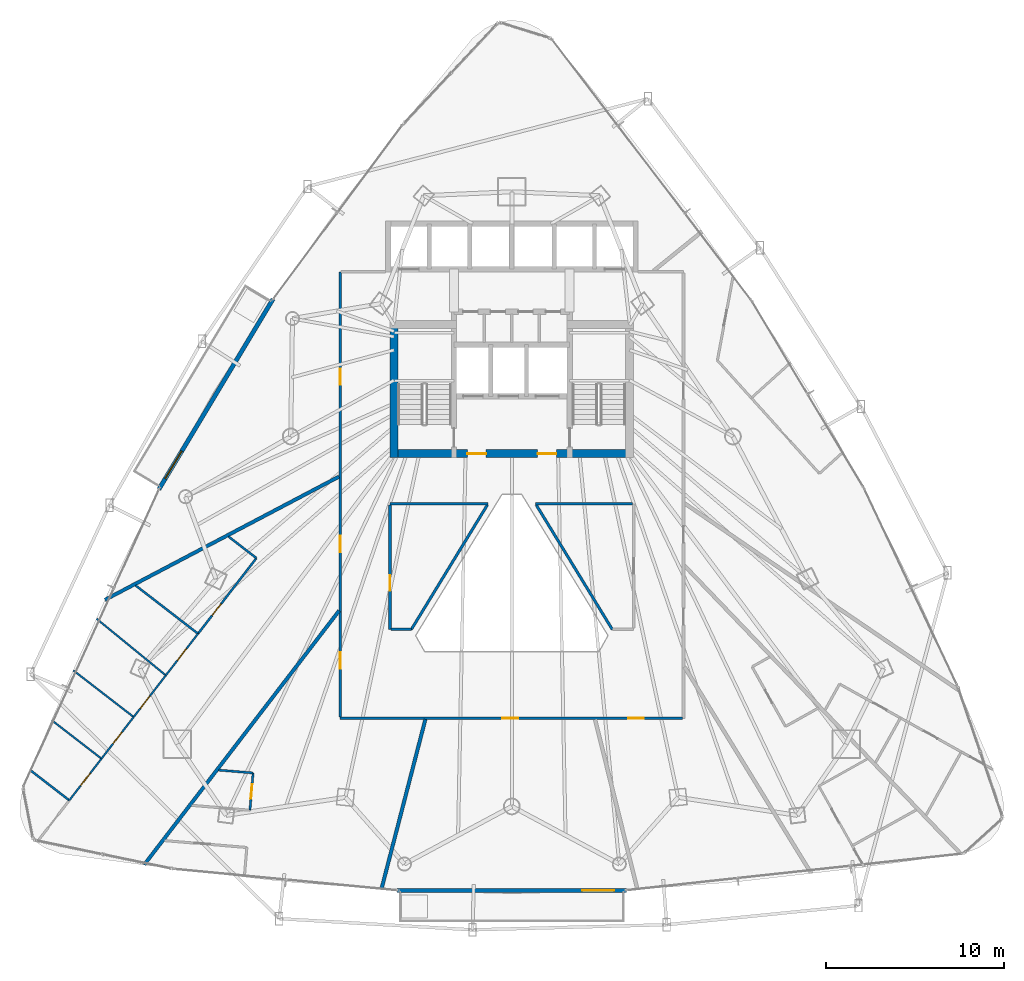
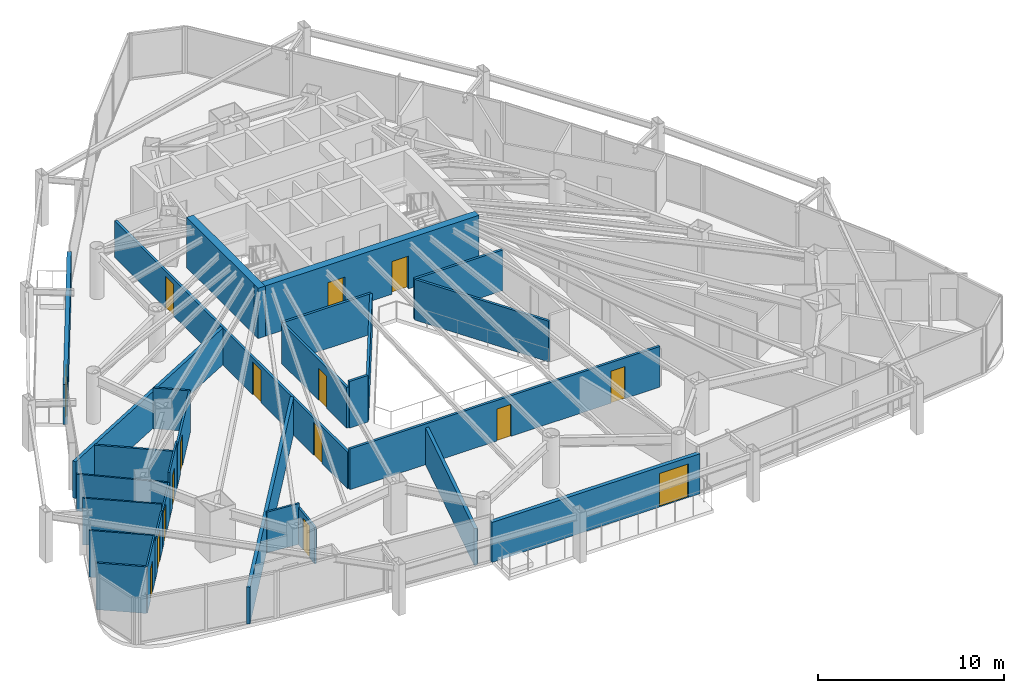
# One storey, part 29 of 34: 28 walls, 16 doors, 16 openings.
"""IFC4 building model written with IfcOpenShell, lengths in metres."""

from ifc_helpers import new_model, si_unit, direction, frame, frame_2d, origin, place, context, subcontext, project, spatial, rectangle, extrude, material, layer, layer_set, type_object, element, fill, save


model = new_model("IFC4")

# Units and contexts
model_context = context("Model", 3, precision=1e-05, world=origin(), true_north=direction((0.0, 1.0)))
body_context = subcontext(model_context, "Body", "Model", "MODEL_VIEW")
ifc_project = project(units=[si_unit("LENGTHUNIT", "METRE"), si_unit("AREAUNIT", "SQUARE_METRE"), si_unit("VOLUMEUNIT", "CUBIC_METRE"), si_unit("PLANEANGLEUNIT", "RADIAN"), si_unit("MASSUNIT", "GRAM", prefix="KILO")], contexts=[model_context])

# Site, building, storey
site_placement = place(None, origin())
site = spatial("IfcSite", under=ifc_project, at=site_placement, CompositionType="ELEMENT")
building_placement = place(site_placement, origin())
building = spatial("IfcBuilding", under=site, at=building_placement, Name="Orvanel Arch Residences", CompositionType="ELEMENT")
storey_placement = place(building_placement, frame((0.0, 0.0, 74.14990234375)))
storey = spatial("IfcBuildingStorey", under=building, at=storey_placement, Name="L20", CompositionType="ELEMENT", Elevation=74.14990234375)

# Wall, opening, door
ifc_material_1 = material(Name="Precast concrete N50 (50 MPa)", Category="concrete")
ifc_layer_1 = layer(ifc_material_1, 0.239990234375)
ifc_layer_set_1 = layer_set([ifc_layer_1], Name="Precast concrete N50 (50 MPa)")
wall_type_1 = type_object("IfcWallType", Name="EW-BAL-240", PredefinedType="SOLIDWALL", material=ifc_layer_set_1)
wall_1_placement = place(storey_placement, frame((19.575927734375, 35.3701171875, 0.0), z_axis=(0.0, 0.0, 1.0), x_axis=(-0.514331693128, -0.85759134175, 0.0)))
wall_1 = element("IfcWall", 1, at=wall_1_placement, inside=storey, type_object=wall_type_1, Name="L20 Balcony Threshold Wall Face 1", PredefinedType="SOLIDWALL", context=body_context, shape_type="SweptSolid", body=[
    extrude(rectangle(XDim=12.474365234375, YDim=0.239990234375, at=frame_2d((6.2373046875, 0.0))), origin(), (0.0, 0.0, 1.0), 2.6240234375),
])
opening_1_placement = place(wall_1_placement, frame((9.97705078125, 0.0, 0.0)))
opening_1 = element("IfcOpeningElement", 2, at=opening_1_placement, cuts=wall_1, Name="Opening DB-180", PredefinedType="OPENING", context=body_context, shape_type="SweptSolid", body=[
    extrude(rectangle(XDim=1.800048828125, YDim=2.199951171875, at=frame_2d((0.89990234375, 1.10009765625))), frame((0.0, 0.1298828125, 0.0), z_axis=(0.0, -1.0, 0.0), x_axis=(1.0, 0.0, 0.0)), (0.0, 0.0, 1.0), 0.260009765625),
])
ifc_material_2 = material(Name="Bronze-anodised aluminium AA6063-T6", Category="aluminium")
door_type_1 = type_object("IfcDoorType", Name="DR-BAL-1800", OperationType="NOTDEFINED", PredefinedType="DOOR", material=ifc_material_2)
door_1_placement = place(opening_1_placement, origin())
door_1 = element("IfcDoor", 3, at=door_1_placement, inside=storey, type_object=door_type_1, Name="DR-L20-BAL-F1 L20 Planted Balcony Access Door Face 1", OperationType="SINGLE_SWING_LEFT", OverallHeight=2.199951171875, OverallWidth=1.800048828125, PredefinedType="DOOR", context=body_context, shape_type="SweptSolid", body=[
    extrude(rectangle(XDim=1.800048828125, YDim=2.199951171875, at=frame_2d((0.89990234375, 1.10009765625))), frame((0.0, 0.02490234375, 0.0), z_axis=(0.0, -1.0, 0.0), x_axis=(1.0, 0.0, 0.0)), (0.0, 0.0, 1.0), 0.050048828125),
])
fill(opening_1, door_1)

wall_2_placement = place(storey_placement, frame((26.553955078125, 2.117919921875, 0.0), z_axis=(0.0, 0.0, 1.0), x_axis=(1.0, 0.0, 0.0)))
wall_2 = element("IfcWall", 4, at=wall_2_placement, inside=storey, type_object=wall_type_1, Name="L20 Balcony Threshold Wall Face 2", PredefinedType="SOLIDWALL", context=body_context, shape_type="SweptSolid", body=[
    extrude(rectangle(XDim=12.89111328125, YDim=0.239990234375, at=frame_2d((6.445556640625, 0.0))), origin(), (0.0, 0.0, 1.0), 2.6240234375),
])
opening_2_placement = place(wall_2_placement, frame((10.39306640625, 0.0, 0.0)))
opening_2 = element("IfcOpeningElement", 5, at=opening_2_placement, cuts=wall_2, Name="Opening DB-180", PredefinedType="OPENING", context=body_context, shape_type="SweptSolid", body=[
    extrude(rectangle(XDim=1.800048828125, YDim=2.199951171875, at=frame_2d((0.89990234375, 1.10009765625))), frame((0.0, 0.1298828125, 0.0), z_axis=(0.0, -1.0, 0.0), x_axis=(1.0, 0.0, 0.0)), (0.0, 0.0, 1.0), 0.260009765625),
])
door_2_placement = place(opening_2_placement, origin())
door_2 = element("IfcDoor", 6, at=door_2_placement, inside=storey, type_object=door_type_1, Name="DR-L20-BAL-F2 L20 Planted Balcony Access Door Face 2", OperationType="SINGLE_SWING_RIGHT", OverallHeight=2.199951171875, OverallWidth=1.800048828125, PredefinedType="DOOR", context=body_context, shape_type="SweptSolid", body=[
    extrude(rectangle(XDim=1.800048828125, YDim=2.199951171875, at=frame_2d((0.89990234375, 1.10009765625))), frame((0.0, 0.02490234375, 0.0), z_axis=(0.0, -1.0, 0.0), x_axis=(1.0, 0.0, 0.0)), (0.0, 0.0, 1.0), 0.050048828125),
])
fill(opening_2, door_2)

# Wall, openings, doors
ifc_material_3 = material(Name="Concrete S80 (80 MPa)", Category="concrete")
ifc_layer_2 = layer(ifc_material_3, 0.449951171875)
ifc_layer_set_2 = layer_set([ifc_layer_2], Name="Concrete S80 (80 MPa)")
wall_type_2 = type_object("IfcWallType", Name="SW-CORE-450", PredefinedType="SHEAR", material=ifc_layer_set_2)
wall_3_placement = place(storey_placement, frame((26.14990234375, 26.675048828125, 0.0), z_axis=(0.0, 0.0, 1.0), x_axis=(1.0, 0.0, 0.0)))
wall_3 = element("IfcWall", 7, at=wall_3_placement, inside=storey, type_object=wall_type_2, Name="L20 South Core Shear Wall", PredefinedType="SHEAR", context=body_context, shape_type="SweptSolid", body=[
    extrude(rectangle(XDim=13.7001953125, YDim=0.449951171875, at=frame_2d((6.85009765625, 0.0))), origin(), (0.0, 0.0, 1.0), 3.300048828125),
])
opening_3_placement = place(wall_3_placement, frame((4.35009765625, 0.0, 0.0)))
opening_3 = element("IfcOpeningElement", 8, at=opening_3_placement, cuts=wall_3, Name="Opening DF-060", PredefinedType="OPENING", context=body_context, shape_type="SweptSolid", body=[
    extrude(rectangle(XDim=1.050048828125, YDim=2.14990234375, at=frame_2d((0.52490234375, 1.074951171875))), frame((0.0, 0.23486328125, 0.0), z_axis=(0.0, -1.0, 0.0), x_axis=(1.0, 0.0, 0.0)), (0.0, 0.0, 1.0), 0.469970703125),
])
opening_4_placement = place(wall_3_placement, frame((8.300048828125, 0.0, 0.0)))
opening_4 = element("IfcOpeningElement", 9, at=opening_4_placement, cuts=wall_3, Name="Opening DF-060", PredefinedType="OPENING", context=body_context, shape_type="SweptSolid", body=[
    extrude(rectangle(XDim=1.050048828125, YDim=2.14990234375, at=frame_2d((0.52490234375, 1.074951171875))), frame((0.0, 0.23486328125, 0.0), z_axis=(0.0, -1.0, 0.0), x_axis=(1.0, 0.0, 0.0)), (0.0, 0.0, 1.0), 0.469970703125),
])
ifc_material_4 = material(Name="Galvanised steel fire-resisting door assembly", Category="steel")
door_type_2 = type_object("IfcDoorType", Name="DR-FD60-1050", OperationType="NOTDEFINED", PredefinedType="DOOR", material=ifc_material_4)
door_3_placement = place(opening_3_placement, origin())
door_3 = element("IfcDoor", 10, at=door_3_placement, inside=storey, type_object=door_type_2, Name="DR-L20-FFL-W L20 West Smoke Lobby Door", OperationType="SINGLE_SWING_LEFT", OverallHeight=2.14990234375, OverallWidth=1.050048828125, PredefinedType="DOOR", context=body_context, shape_type="SweptSolid", body=[
    extrude(rectangle(XDim=1.050048828125, YDim=2.14990234375, at=frame_2d((0.52490234375, 1.074951171875))), frame((0.0, 0.02490234375, 0.0), z_axis=(0.0, -1.0, 0.0), x_axis=(1.0, 0.0, 0.0)), (0.0, 0.0, 1.0), 0.050048828125),
])
fill(opening_3, door_3)
door_4_placement = place(opening_4_placement, origin())
door_4 = element("IfcDoor", 11, at=door_4_placement, inside=storey, type_object=door_type_2, Name="DR-L20-FFL-E L20 East Smoke Lobby Door", OperationType="SINGLE_SWING_RIGHT", OverallHeight=2.14990234375, OverallWidth=1.050048828125, PredefinedType="DOOR", context=body_context, shape_type="SweptSolid", body=[
    extrude(rectangle(XDim=1.050048828125, YDim=2.14990234375, at=frame_2d((0.52490234375, 1.074951171875))), frame((0.0, 0.02490234375, 0.0), z_axis=(0.0, -1.0, 0.0), x_axis=(1.0, 0.0, 0.0)), (0.0, 0.0, 1.0), 0.050048828125),
])
fill(opening_4, door_4)

# Wall
wall_4_placement = place(storey_placement, frame((26.375, 26.449951171875, 0.0), z_axis=(0.0, 0.0, 1.0), x_axis=(0.0, 1.0, 0.0)))
element("IfcWall", 12, at=wall_4_placement, inside=storey, type_object=wall_type_2, Name="L20 West Stair Shear Wall", PredefinedType="SHEAR", context=body_context, shape_type="SweptSolid", body=[
    extrude(rectangle(XDim=7.699951171875, YDim=0.449951171875, at=frame_2d((3.85009765625, 0.0))), origin(), (0.0, 0.0, 1.0), 3.300048828125),
])

# Wall, openings, doors
ifc_material_5 = material(Name="Fire-rated plasterboard lined steel stud partition", Category="steel")
ifc_layer_3 = layer(ifc_material_5, 0.14990234375)
ifc_layer_set_3 = layer_set([ifc_layer_3], Name="Fire-rated plasterboard lined steel stud partition")
wall_type_3 = type_object("IfcWallType", Name="W-COR-150", PredefinedType="PARTITIONING", material=ifc_layer_set_3)
wall_5_placement = place(storey_placement, frame((42.590087890625, 11.800048828125, 0.0), z_axis=(0.0, 0.0, 1.0), x_axis=(-1.0, 0.0, 0.0)))
wall_5 = element("IfcWall", 13, at=wall_5_placement, inside=storey, type_object=wall_type_3, Name="L20 Corridor Fire-Rated Partition", PredefinedType="PARTITIONING", context=body_context, shape_type="SweptSolid", body=[
    extrude(rectangle(XDim=19.239990234375, YDim=0.14990234375, at=frame_2d((9.6201171875, 0.0))), origin(), (0.0, 0.0, 1.0), 2.669189453125),
])
opening_5_placement = place(wall_5_placement, frame((9.239990234375, 0.0, 0.0)))
opening_5 = element("IfcOpeningElement", 14, at=opening_5_placement, cuts=wall_5, Name="Opening DI-088", PredefinedType="OPENING", context=body_context, shape_type="SweptSolid", body=[
    extrude(rectangle(XDim=0.8798828125, YDim=2.10009765625, at=frame_2d((0.43994140625, 1.050048828125))), frame((0.0, 0.0849609375, 0.0), z_axis=(0.0, -1.0, 0.0), x_axis=(1.0, 0.0, 0.0)), (0.0, 0.0, 1.0), 0.169921875),
])
opening_6_placement = place(wall_5_placement, frame((2.174072265625, 0.0, 0.0)))
opening_6 = element("IfcOpeningElement", 15, at=opening_6_placement, cuts=wall_5, Name="Opening DI-088", PredefinedType="OPENING", context=body_context, shape_type="SweptSolid", body=[
    extrude(rectangle(XDim=0.8798828125, YDim=2.10009765625, at=frame_2d((0.43994140625, 1.050048828125))), frame((0.0, 0.0849609375, 0.0), z_axis=(0.0, -1.0, 0.0), x_axis=(1.0, 0.0, 0.0)), (0.0, 0.0, 1.0), 0.169921875),
])
ifc_material_6 = material(Name="Solid-core European oak veneer fire door leaf", Category="wood")
door_type_3 = type_object("IfcDoorType", Name="DR-INT-880", OperationType="NOTDEFINED", PredefinedType="DOOR", material=ifc_material_6)
door_5_placement = place(opening_5_placement, origin())
door_5 = element("IfcDoor", 16, at=door_5_placement, inside=storey, type_object=door_type_3, Name="DR-L20-SHRD-FB5 L20 Co-Working Study Office E Door", OperationType="SINGLE_SWING_LEFT", OverallHeight=2.10009765625, OverallWidth=0.8798828125, PredefinedType="DOOR", context=body_context, shape_type="SweptSolid", body=[
    extrude(rectangle(XDim=0.8798828125, YDim=2.10009765625, at=frame_2d((0.43994140625, 1.050048828125))), frame((0.0, 0.02490234375, 0.0), z_axis=(0.0, -1.0, 0.0), x_axis=(1.0, 0.0, 0.0)), (0.0, 0.0, 1.0), 0.050048828125),
])
fill(opening_5, door_5)
door_6_placement = place(opening_6_placement, origin())
door_6 = element("IfcDoor", 17, at=door_6_placement, inside=storey, type_object=door_type_3, Name="DR-L20-SHRD-FB8 L20 Co-Working Study Office H Door", OperationType="SINGLE_SWING_LEFT", OverallHeight=2.10009765625, OverallWidth=0.8798828125, PredefinedType="DOOR", context=body_context, shape_type="SweptSolid", body=[
    extrude(rectangle(XDim=0.8798828125, YDim=2.10009765625, at=frame_2d((0.43994140625, 1.050048828125))), frame((0.0, 0.02490234375, 0.0), z_axis=(0.0, -1.0, 0.0), x_axis=(1.0, 0.0, 0.0)), (0.0, 0.0, 1.0), 0.050048828125),
])
fill(opening_6, door_6)

wall_6_placement = place(storey_placement, frame((23.35009765625, 11.860107421875, 0.0), z_axis=(0.0, 0.0, 1.0), x_axis=(0.0, 1.0, 0.0)))
wall_6 = element("IfcWall", 18, at=wall_6_placement, inside=storey, type_object=wall_type_3, Name="L20 Corridor Fire-Rated Partition", PredefinedType="PARTITIONING", context=body_context, shape_type="SweptSolid", body=[
    extrude(rectangle(XDim=25.039794921875, YDim=0.14990234375, at=frame_2d((12.52001953125, 0.0))), origin(), (0.0, 0.0, 1.0), 2.4130859375),
])
opening_7_placement = place(wall_6_placement, frame((18.695068359375, 0.0, 0.0)))
opening_7 = element("IfcOpeningElement", 19, at=opening_7_placement, cuts=wall_6, Name="Opening DI-088", PredefinedType="OPENING", context=body_context, shape_type="SweptSolid", body=[
    extrude(rectangle(XDim=0.8798828125, YDim=2.10009765625, at=frame_2d((0.43994140625, 1.050048828125))), frame((0.0, 0.0849609375, 0.0), z_axis=(0.0, -1.0, 0.0), x_axis=(1.0, 0.0, 0.0)), (0.0, 0.0, 1.0), 0.169921875),
])
opening_8_placement = place(wall_6_placement, frame((9.280029296875, 0.0, 0.0)))
opening_8 = element("IfcOpeningElement", 20, at=opening_8_placement, cuts=wall_6, Name="Opening DA-092", PredefinedType="OPENING", context=body_context, shape_type="SweptSolid", body=[
    extrude(rectangle(XDim=0.919921875, YDim=2.14990234375, at=frame_2d((0.4599609375, 1.074951171875))), frame((0.0, 0.0849609375, 0.0), z_axis=(0.0, -1.0, 0.0), x_axis=(1.0, 0.0, 0.0)), (0.0, 0.0, 1.0), 0.169921875),
])
opening_9_placement = place(wall_6_placement, frame((2.721923828125, 0.0, 0.0)))
opening_9 = element("IfcOpeningElement", 21, at=opening_9_placement, cuts=wall_6, Name="Opening DA-092", PredefinedType="OPENING", context=body_context, shape_type="SweptSolid", body=[
    extrude(rectangle(XDim=0.919921875, YDim=2.14990234375, at=frame_2d((0.4599609375, 1.074951171875))), frame((0.0, 0.0849609375, 0.0), z_axis=(0.0, -1.0, 0.0), x_axis=(1.0, 0.0, 0.0)), (0.0, 0.0, 1.0), 0.169921875),
])
door_type_4 = type_object("IfcDoorType", Name="DR-APT-920", OperationType="NOTDEFINED", PredefinedType="DOOR", material=ifc_material_6)
door_7_placement = place(opening_8_placement, origin())
door_7 = element("IfcDoor", 22, at=door_7_placement, inside=storey, type_object=door_type_4, Name="DR-L20-B-ENT L20 Flat B Entrance Door", OperationType="SINGLE_SWING_LEFT", OverallHeight=2.14990234375, OverallWidth=0.919921875, PredefinedType="DOOR", context=body_context, shape_type="SweptSolid", body=[
    extrude(rectangle(XDim=0.919921875, YDim=2.14990234375, at=frame_2d((0.4599609375, 1.074951171875))), frame((0.0, 0.02490234375, 0.0), z_axis=(0.0, -1.0, 0.0), x_axis=(1.0, 0.0, 0.0)), (0.0, 0.0, 1.0), 0.050048828125),
])
fill(opening_8, door_7)
door_8_placement = place(opening_9_placement, origin())
door_8 = element("IfcDoor", 23, at=door_8_placement, inside=storey, type_object=door_type_4, Name="DR-L20-D-ENT L20 Studio D Entrance Door", OperationType="SINGLE_SWING_LEFT", OverallHeight=2.14990234375, OverallWidth=0.919921875, PredefinedType="DOOR", context=body_context, shape_type="SweptSolid", body=[
    extrude(rectangle(XDim=0.919921875, YDim=2.14990234375, at=frame_2d((0.4599609375, 1.074951171875))), frame((0.0, 0.02490234375, 0.0), z_axis=(0.0, -1.0, 0.0), x_axis=(1.0, 0.0, 0.0)), (0.0, 0.0, 1.0), 0.050048828125),
])
fill(opening_9, door_8)
door_9_placement = place(opening_7_placement, origin())
door_9 = element("IfcDoor", 24, at=door_9_placement, inside=storey, type_object=door_type_3, Name="DR-L20-SHRD-FB1 L20 Co-Working Study Office A Door", OperationType="SINGLE_SWING_LEFT", OverallHeight=2.10009765625, OverallWidth=0.8798828125, PredefinedType="DOOR", context=body_context, shape_type="SweptSolid", body=[
    extrude(rectangle(XDim=0.8798828125, YDim=2.10009765625, at=frame_2d((0.43994140625, 1.050048828125))), frame((0.0, 0.02490234375, 0.0), z_axis=(0.0, -1.0, 0.0), x_axis=(1.0, 0.0, 0.0)), (0.0, 0.0, 1.0), 0.050048828125),
])
fill(opening_7, door_9)

# Wall
wall_7_placement = place(storey_placement, frame((31.659912109375, 23.85009765625, 0.0), z_axis=(0.0, 0.0, 1.0), x_axis=(-1.0, 0.0, 0.0)))
element("IfcWall", 25, at=wall_7_placement, inside=storey, type_object=wall_type_3, Name="L20 Corridor Fire-Rated Partition", PredefinedType="PARTITIONING", context=body_context, shape_type="SweptSolid", body=[
    extrude(rectangle(XDim=5.510009765625, YDim=0.14990234375, at=frame_2d((2.7548828125, 0.0))), origin(), (0.0, 0.0, 1.0), 2.669189453125),
])

# Wall, opening, door
wall_8_placement = place(storey_placement, frame((26.14990234375, 23.7900390625, 0.0), z_axis=(0.0, 0.0, 1.0), x_axis=(0.0, -1.0, 0.0)))
wall_8 = element("IfcWall", 26, at=wall_8_placement, inside=storey, type_object=wall_type_3, Name="L20 Corridor Fire-Rated Partition", PredefinedType="PARTITIONING", context=body_context, shape_type="SweptSolid", body=[
    extrude(rectangle(XDim=6.989990234375, YDim=0.14990234375, at=frame_2d((3.4951171875, 0.0))), origin(), (0.0, 0.0, 1.0), 2.669189453125),
])
opening_10_placement = place(wall_8_placement, frame((3.943115234375, 0.0, 0.0)))
opening_10 = element("IfcOpeningElement", 27, at=opening_10_placement, cuts=wall_8, Name="Opening DI-088", PredefinedType="OPENING", context=body_context, shape_type="SweptSolid", body=[
    extrude(rectangle(XDim=0.8798828125, YDim=2.10009765625, at=frame_2d((0.43994140625, 1.050048828125))), frame((0.0, 0.0849609375, 0.0), z_axis=(0.0, -1.0, 0.0), x_axis=(1.0, 0.0, 0.0)), (0.0, 0.0, 1.0), 0.169921875),
])
door_10_placement = place(opening_10_placement, origin())
door_10 = element("IfcDoor", 28, at=door_10_placement, inside=storey, type_object=door_type_3, Name="DR-L20-SHRD-FB10 L20 Co-Working Study Office J Door", OperationType="SINGLE_SWING_LEFT", OverallHeight=2.10009765625, OverallWidth=0.8798828125, PredefinedType="DOOR", context=body_context, shape_type="SweptSolid", body=[
    extrude(rectangle(XDim=0.8798828125, YDim=2.10009765625, at=frame_2d((0.43994140625, 1.050048828125))), frame((0.0, 0.02490234375, 0.0), z_axis=(0.0, -1.0, 0.0), x_axis=(1.0, 0.0, 0.0)), (0.0, 0.0, 1.0), 0.050048828125),
])
fill(opening_10, door_10)

# Walls
wall_9_placement = place(storey_placement, frame((26.2099609375, 16.800048828125, 0.0), z_axis=(0.0, 0.0, 1.0), x_axis=(1.0, 0.0, 0.0)))
element("IfcWall", 29, at=wall_9_placement, inside=storey, type_object=wall_type_3, Name="L20 Corridor Fire-Rated Partition", PredefinedType="PARTITIONING", context=body_context, shape_type="SweptSolid", body=[
    extrude(rectangle(XDim=1.14013671875, YDim=0.14990234375, at=frame_2d((0.570068359375, 0.0))), origin(), (0.0, 0.0, 1.0), 3.06005859375),
])
wall_10_placement = place(storey_placement, frame((39.7900390625, 23.85009765625, 0.0), z_axis=(0.0, 0.0, 1.0), x_axis=(-1.0, 0.0, 0.0)))
element("IfcWall", 30, at=wall_10_placement, inside=storey, type_object=wall_type_3, Name="L20 Corridor Fire-Rated Partition", PredefinedType="PARTITIONING", context=body_context, shape_type="SweptSolid", body=[
    extrude(rectangle(XDim=5.449951171875, YDim=0.14990234375, at=frame_2d((2.72509765625, 0.0))), origin(), (0.0, 0.0, 1.0), 2.669189453125),
])
for number, where, z_axis, x_axis, name in (
    (31, (27.35009765625, 16.7900390625, 0.0), (0.0, 0.0, 1.0), (0.521108010454, 0.853490738931, 0.0), "L20 Atrium Overlook Glazed Partition"),
    (32, (34.3759765625, 23.7900390625, 0.0), (0.0, 0.0, 1.0), (0.521108010454, -0.853490738931, 0.0), "L20 Atrium Overlook Glazed Partition"),
):
    element("IfcWall", number, at=place(storey_placement, frame(where, z_axis=z_axis, x_axis=x_axis)), inside=storey, type_object=wall_type_3, Name=name, PredefinedType="PARTITIONING", context=body_context, shape_type="SweptSolid", body=[
        extrude(rectangle(XDim=8.20166015625, YDim=0.14990234375, at=frame_2d((4.100830078125, 0.0))), origin(), (0.0, 0.0, 1.0), 2.669189453125),
    ])
ifc_layer_4 = layer(ifc_material_5, 0.199951171875)
ifc_layer_set_4 = layer_set([ifc_layer_4], Name="Fire-rated plasterboard lined steel stud partition")
wall_type_4 = type_object("IfcWallType", Name="W-DEM-200", PredefinedType="PARTITIONING", material=ifc_layer_set_4)
wall_11_placement = place(storey_placement, frame((23.2900390625, 25.386962890625, 0.0), z_axis=(0.0, 0.0, 1.0), x_axis=(-0.884824599801, -0.465924272373, 0.0)))
element("IfcWall", 33, at=wall_11_placement, inside=storey, type_object=wall_type_4, Name="L20 Inter-Tenancy Acoustic Demising Wall", PredefinedType="PARTITIONING", context=body_context, shape_type="SweptSolid", body=[
    extrude(rectangle(XDim=14.8798828125, YDim=0.199951171875, at=frame_2d((7.43994140625, 0.0))), origin(), (0.0, 0.0, 1.0), 2.4130859375),
])
wall_12_placement = place(storey_placement, frame((23.2900390625, 17.845947265625, 0.0), z_axis=(0.0, 0.0, 1.0), x_axis=(-0.608736412859, -0.793372535232, 0.0)))
element("IfcWall", 34, at=wall_12_placement, inside=storey, type_object=wall_type_4, Name="L20 Inter-Tenancy Acoustic Demising Wall", PredefinedType="PARTITIONING", context=body_context, shape_type="SweptSolid", body=[
    extrude(rectangle(XDim=18.0029296875, YDim=0.199951171875, at=frame_2d((9.00146484375, 0.0))), origin(), (0.0, 0.0, 1.0), 2.4130859375),
])
wall_13_placement = place(storey_placement, frame((28.14208984375, 11.739990234375, 0.0), z_axis=(0.0, 0.0, 1.0), x_axis=(-0.250654087156, -0.968076716274, 0.0)))
element("IfcWall", 35, at=wall_13_placement, inside=storey, type_object=wall_type_4, Name="L20 Inter-Tenancy Acoustic Demising Wall", PredefinedType="PARTITIONING", context=body_context, shape_type="SweptSolid", body=[
    extrude(rectangle(XDim=9.84619140625, YDim=0.199951171875, at=frame_2d((4.923095703125, 0.0))), origin(), (0.0, 0.0, 1.0), 2.4130859375),
])

# Wall, opening, door
ifc_material_7 = material(Name="Acoustic plasterboard lined twin-stud partition", Category="gypsum")
ifc_layer_5 = layer(ifc_material_7, 0.10009765625)
ifc_layer_set_5 = layer_set([ifc_layer_5], Name="Acoustic plasterboard lined twin-stud partition")
wall_type_5 = type_object("IfcWallType", Name="W-INT-100", PredefinedType="PARTITIONING", material=ifc_layer_set_5)
wall_14_placement = place(storey_placement, frame((11.740966796875, 11.8701171875, 0.0), z_axis=(0.0, 0.0, 1.0), x_axis=(0.61134418085, 0.791364828976, 0.0)))
wall_14 = element("IfcWall", 36, at=wall_14_placement, inside=storey, type_object=wall_type_5, Name="L20 Flat B Internal Partition", PredefinedType="PARTITIONING", context=body_context, shape_type="SweptSolid", body=[
    extrude(rectangle(XDim=2.959228515625, YDim=0.10009765625, at=frame_2d((1.4794921875, 0.0))), origin(), (0.0, 0.0, 1.0), 2.4130859375),
])
opening_11_placement = place(wall_14_placement, frame((0.60791015625, 0.0, 0.0)))
opening_11 = element("IfcOpeningElement", 37, at=opening_11_placement, cuts=wall_14, Name="Opening DI-088", PredefinedType="OPENING", context=body_context, shape_type="SweptSolid", body=[
    extrude(rectangle(XDim=0.8798828125, YDim=2.10009765625, at=frame_2d((0.43994140625, 1.050048828125))), frame((0.0, 0.06005859375, 0.0), z_axis=(0.0, -1.0, 0.0), x_axis=(1.0, 0.0, 0.0)), (0.0, 0.0, 1.0), 0.1201171875),
])
door_11_placement = place(opening_11_placement, origin())
door_11 = element("IfcDoor", 38, at=door_11_placement, inside=storey, type_object=door_type_3, Name="DR-L20-B-BED1 L20 Flat B Bedroom 1 Door", OperationType="SINGLE_SWING_LEFT", OverallHeight=2.10009765625, OverallWidth=0.8798828125, PredefinedType="DOOR", context=body_context, shape_type="SweptSolid", body=[
    extrude(rectangle(XDim=0.8798828125, YDim=2.10009765625, at=frame_2d((0.43994140625, 1.050048828125))), frame((0.0, 0.02490234375, 0.0), z_axis=(0.0, -1.0, 0.0), x_axis=(1.0, 0.0, 0.0)), (0.0, 0.0, 1.0), 0.050048828125),
])
fill(opening_11, door_11)

wall_15_placement = place(storey_placement, frame((13.550048828125, 14.2119140625, 0.0), z_axis=(0.0, 0.0, 1.0), x_axis=(0.611510880037, 0.791236022686, 0.0)))
wall_15 = element("IfcWall", 39, at=wall_15_placement, inside=storey, type_object=wall_type_5, Name="L20 Flat B Internal Partition", PredefinedType="PARTITIONING", context=body_context, shape_type="SweptSolid", body=[
    extrude(rectangle(XDim=2.9599609375, YDim=0.10009765625, at=frame_2d((1.47998046875, 0.0))), origin(), (0.0, 0.0, 1.0), 3.06005859375),
])
opening_12_placement = place(wall_15_placement, frame((1.070068359375, 0.0, 0.0)))
opening_12 = element("IfcOpeningElement", 40, at=opening_12_placement, cuts=wall_15, Name="Opening DW-082", PredefinedType="OPENING", context=body_context, shape_type="SweptSolid", body=[
    extrude(rectangle(XDim=0.820068359375, YDim=2.10009765625, at=frame_2d((0.41015625, 1.050048828125))), frame((0.0, 0.06005859375, 0.0), z_axis=(0.0, -1.0, 0.0), x_axis=(1.0, 0.0, 0.0)), (0.0, 0.0, 1.0), 0.1201171875),
])
door_type_5 = type_object("IfcDoorType", Name="DR-WET-820", OperationType="NOTDEFINED", PredefinedType="DOOR", material=ifc_material_6)
door_12_placement = place(opening_12_placement, origin())
door_12 = element("IfcDoor", 41, at=door_12_placement, inside=storey, type_object=door_type_5, Name="DR-L20-B-LAU2 L20 Flat B Apartment Laundry Room 1 Door", OperationType="SINGLE_SWING_LEFT", OverallHeight=2.10009765625, OverallWidth=0.820068359375, PredefinedType="DOOR", context=body_context, shape_type="SweptSolid", body=[
    extrude(rectangle(XDim=0.820068359375, YDim=2.10009765625, at=frame_2d((0.41015625, 1.050048828125))), frame((0.0, 0.02490234375, 0.0), z_axis=(0.0, -1.0, 0.0), x_axis=(1.0, 0.0, 0.0)), (0.0, 0.0, 1.0), 0.050048828125),
])
fill(opening_12, door_12)

wall_16_placement = place(storey_placement, frame((9.931884765625, 9.528076171875, 0.0), z_axis=(0.0, 0.0, 1.0), x_axis=(0.611304268233, 0.791395660615, 0.0)))
wall_16 = element("IfcWall", 42, at=wall_16_placement, inside=storey, type_object=wall_type_5, Name="L20 Flat B Internal Partition", PredefinedType="PARTITIONING", context=body_context, shape_type="SweptSolid", body=[
    extrude(rectangle(XDim=2.95947265625, YDim=0.10009765625, at=frame_2d((1.479736328125, 0.0))), origin(), (0.0, 0.0, 1.0), 2.619140625),
])
opening_13_placement = place(wall_16_placement, frame((1.070068359375, 0.0, 0.0)))
opening_13 = element("IfcOpeningElement", 43, at=opening_13_placement, cuts=wall_16, Name="Opening DW-082", PredefinedType="OPENING", context=body_context, shape_type="SweptSolid", body=[
    extrude(rectangle(XDim=0.820068359375, YDim=2.10009765625, at=frame_2d((0.41015625, 1.050048828125))), frame((0.0, 0.06005859375, 0.0), z_axis=(0.0, -1.0, 0.0), x_axis=(1.0, 0.0, 0.0)), (0.0, 0.0, 1.0), 0.1201171875),
])
door_13_placement = place(opening_13_placement, origin())
door_13 = element("IfcDoor", 44, at=door_13_placement, inside=storey, type_object=door_type_5, Name="DR-L20-B-LAU3 L20 Flat B Apartment Laundry Room 2 Door", OperationType="SINGLE_SWING_LEFT", OverallHeight=2.10009765625, OverallWidth=0.820068359375, PredefinedType="DOOR", context=body_context, shape_type="SweptSolid", body=[
    extrude(rectangle(XDim=0.820068359375, YDim=2.10009765625, at=frame_2d((0.41015625, 1.050048828125))), frame((0.0, 0.02490234375, 0.0), z_axis=(0.0, -1.0, 0.0), x_axis=(1.0, 0.0, 0.0)), (0.0, 0.0, 1.0), 0.050048828125),
])
fill(opening_13, door_13)

wall_17_placement = place(storey_placement, frame((8.1220703125, 7.18603515625, 0.0), z_axis=(0.0, 0.0, 1.0), x_axis=(0.611459238808, 0.791275931187, 0.0)))
wall_17 = element("IfcWall", 45, at=wall_17_placement, inside=storey, type_object=wall_type_5, Name="L20 Flat B Internal Partition", PredefinedType="PARTITIONING", context=body_context, shape_type="SweptSolid", body=[
    extrude(rectangle(XDim=2.959716796875, YDim=0.10009765625, at=frame_2d((1.47998046875, 0.0))), origin(), (0.0, 0.0, 1.0), 3.06005859375),
])
opening_14_placement = place(wall_17_placement, frame((1.0400390625, 0.0, 0.0)))
opening_14 = element("IfcOpeningElement", 46, at=opening_14_placement, cuts=wall_17, Name="Opening DI-088", PredefinedType="OPENING", context=body_context, shape_type="SweptSolid", body=[
    extrude(rectangle(XDim=0.8798828125, YDim=2.10009765625, at=frame_2d((0.43994140625, 1.050048828125))), frame((0.0, 0.06005859375, 0.0), z_axis=(0.0, -1.0, 0.0), x_axis=(1.0, 0.0, 0.0)), (0.0, 0.0, 1.0), 0.1201171875),
])
door_14_placement = place(opening_14_placement, origin())
door_14 = element("IfcDoor", 47, at=door_14_placement, inside=storey, type_object=door_type_3, Name="DR-L20-B-WRD4 L20 Flat B Walk-In Wardrobe 4 Door", OperationType="SINGLE_SWING_LEFT", OverallHeight=2.10009765625, OverallWidth=0.8798828125, PredefinedType="DOOR", context=body_context, shape_type="SweptSolid", body=[
    extrude(rectangle(XDim=0.8798828125, YDim=2.10009765625, at=frame_2d((0.43994140625, 1.050048828125))), frame((0.0, 0.02490234375, 0.0), z_axis=(0.0, -1.0, 0.0), x_axis=(1.0, 0.0, 0.0)), (0.0, 0.0, 1.0), 0.050048828125),
])
fill(opening_14, door_14)

# Walls
wall_18_placement = place(storey_placement, frame((9.654052734375, 17.39404296875, 0.0), z_axis=(0.0, 0.0, 1.0), x_axis=(0.774493289837, -0.63258212431, 0.0)))
element("IfcWall", 48, at=wall_18_placement, inside=storey, type_object=wall_type_5, Name="L20 Flat B Internal Partition", PredefinedType="PARTITIONING", context=body_context, shape_type="SweptSolid", body=[
    extrude(rectangle(XDim=5.0302734375, YDim=0.10009765625, at=frame_2d((2.51513671875, 0.0))), origin(), (0.0, 0.0, 1.0), 2.4130859375),
])
wall_19_placement = place(storey_placement, frame((11.740966796875, 11.8701171875, 0.0), z_axis=(0.0, 0.0, 1.0), x_axis=(-0.791298779838, 0.61142966973, 0.0)))
element("IfcWall", 49, at=wall_19_placement, inside=storey, type_object=wall_type_5, Name="L20 Flat B Internal Partition", PredefinedType="PARTITIONING", context=body_context, shape_type="SweptSolid", body=[
    extrude(rectangle(XDim=4.286376953125, YDim=0.10009765625, at=frame_2d((2.14306640625, 0.0))), origin(), (0.0, 0.0, 1.0), 3.06005859375),
])
wall_20_placement = place(storey_placement, frame((9.931884765625, 9.528076171875, 0.0), z_axis=(0.0, 0.0, 1.0), x_axis=(-0.791360981132, 0.611349161725, 0.0)))
element("IfcWall", 50, at=wall_20_placement, inside=storey, type_object=wall_type_5, Name="L20 Flat B Internal Partition", PredefinedType="PARTITIONING", context=body_context, shape_type="SweptSolid", body=[
    extrude(rectangle(XDim=3.532958984375, YDim=0.10009765625, at=frame_2d((1.7666015625, 0.0))), origin(), (0.0, 0.0, 1.0), 3.06005859375),
])

# Wall, opening, door
ifc_layer_6 = layer(ifc_material_7, 0.1201171875)
ifc_layer_set_6 = layer_set([ifc_layer_6], Name="Acoustic plasterboard lined twin-stud partition")
wall_type_6 = type_object("IfcWallType", Name="W-WET-120", PredefinedType="PARTITIONING", material=ifc_layer_set_6)
wall_21_placement = place(storey_placement, frame((15.360107421875, 16.553955078125, 0.0), z_axis=(0.0, 0.0, 1.0), x_axis=(0.611289599194, 0.791406991324, 0.0)))
wall_21 = element("IfcWall", 51, at=wall_21_placement, inside=storey, type_object=wall_type_6, Name="L20 Flat B Bathroom Partition", PredefinedType="PARTITIONING", context=body_context, shape_type="SweptSolid", body=[
    extrude(rectangle(XDim=5.368896484375, YDim=0.1201171875, at=frame_2d((2.6845703125, 0.0))), origin(), (0.0, 0.0, 1.0), 2.669189453125),
])
opening_15_placement = place(wall_21_placement, frame((1.297119140625, 0.0, 0.0)))
opening_15 = element("IfcOpeningElement", 52, at=opening_15_placement, cuts=wall_21, Name="Opening DW-082", PredefinedType="OPENING", context=body_context, shape_type="SweptSolid", body=[
    extrude(rectangle(XDim=0.820068359375, YDim=2.10009765625, at=frame_2d((0.41015625, 1.050048828125))), frame((0.0, 0.070068359375, 0.0), z_axis=(0.0, -1.0, 0.0), x_axis=(1.0, 0.0, 0.0)), (0.0, 0.0, 1.0), 0.14013671875),
])
door_15_placement = place(opening_15_placement, origin())
door_15 = element("IfcDoor", 53, at=door_15_placement, inside=storey, type_object=door_type_5, Name="DR-L20-B-BATH L20 Flat B Bathroom Door", OperationType="SINGLE_SWING_RIGHT", OverallHeight=2.10009765625, OverallWidth=0.820068359375, PredefinedType="DOOR", context=body_context, shape_type="SweptSolid", body=[
    extrude(rectangle(XDim=0.820068359375, YDim=2.10009765625, at=frame_2d((0.41015625, 1.050048828125))), frame((0.0, 0.02490234375, 0.0), z_axis=(0.0, -1.0, 0.0), x_axis=(1.0, 0.0, 0.0)), (0.0, 0.0, 1.0), 0.050048828125),
])
fill(opening_15, door_15)

# Walls
wall_22_placement = place(storey_placement, frame((18.64208984375, 20.802978515625, 0.0), z_axis=(0.0, 0.0, 1.0), x_axis=(-0.791493240875, 0.611177919799, 0.0)))
element("IfcWall", 54, at=wall_22_placement, inside=storey, type_object=wall_type_6, Name="L20 Flat B Bathroom Partition", PredefinedType="PARTITIONING", context=body_context, shape_type="SweptSolid", body=[
    extrude(rectangle(XDim=1.98486328125, YDim=0.1201171875, at=frame_2d((0.992431640625, 0.0))), origin(), (0.0, 0.0, 1.0), 2.669189453125),
])
wall_23_placement = place(storey_placement, frame((15.360107421875, 16.553955078125, 0.0), z_axis=(0.0, 0.0, 1.0), x_axis=(-0.79138059941, 0.611323766, 0.0)))
element("IfcWall", 55, at=wall_23_placement, inside=storey, type_object=wall_type_6, Name="L20 Flat B Bathroom Partition", PredefinedType="PARTITIONING", context=body_context, shape_type="SweptSolid", body=[
    extrude(rectangle(XDim=4.4365234375, YDim=0.1201171875, at=frame_2d((2.21826171875, 0.0))), origin(), (0.0, 0.0, 1.0), 2.4130859375),
])
wall_24_placement = place(storey_placement, frame((5.93994140625, 8.8720703125, 0.0), z_axis=(0.0, 0.0, 1.0), x_axis=(0.791312259297, -0.611412224514, 0.0)))
element("IfcWall", 56, at=wall_24_placement, inside=storey, type_object=wall_type_6, Name="L20 Flat B Internal Partition", PredefinedType="PARTITIONING", context=body_context, shape_type="SweptSolid", body=[
    extrude(rectangle(XDim=2.757568359375, YDim=0.1201171875, at=frame_2d((1.37890625, 0.0))), origin(), (0.0, 0.0, 1.0), 3.06005859375),
])

# Wall, opening, door
wall_25_placement = place(storey_placement, frame((18.278076171875, 6.6298828125, 0.0), z_axis=(0.0, 0.0, 1.0), x_axis=(0.083756885487, 0.996486218737, 0.0)))
wall_25 = element("IfcWall", 57, at=wall_25_placement, inside=storey, type_object=wall_type_6, Name="L20 Studio D Bathroom Partition", PredefinedType="PARTITIONING", context=body_context, shape_type="SweptSolid", body=[
    extrude(rectangle(XDim=2.1015625, YDim=0.1201171875, at=frame_2d((1.05078125, 0.0))), origin(), (0.0, 0.0, 1.0), 2.4130859375),
])
opening_16_placement = place(wall_25_placement, frame((0.64111328125, 0.0, 0.0)))
opening_16 = element("IfcOpeningElement", 58, at=opening_16_placement, cuts=wall_25, Name="Opening DW-082", PredefinedType="OPENING", context=body_context, shape_type="SweptSolid", body=[
    extrude(rectangle(XDim=0.820068359375, YDim=2.10009765625, at=frame_2d((0.41015625, 1.050048828125))), frame((0.0, 0.070068359375, 0.0), z_axis=(0.0, -1.0, 0.0), x_axis=(1.0, 0.0, 0.0)), (0.0, 0.0, 1.0), 0.14013671875),
])
door_16_placement = place(opening_16_placement, origin())
door_16 = element("IfcDoor", 59, at=door_16_placement, inside=storey, type_object=door_type_5, Name="DR-L20-D-BATH L20 Studio D Bathroom Door", OperationType="SINGLE_SWING_RIGHT", OverallHeight=2.10009765625, OverallWidth=0.820068359375, PredefinedType="DOOR", context=body_context, shape_type="SweptSolid", body=[
    extrude(rectangle(XDim=0.820068359375, YDim=2.10009765625, at=frame_2d((0.41015625, 1.050048828125))), frame((0.0, 0.02490234375, 0.0), z_axis=(0.0, -1.0, 0.0), x_axis=(1.0, 0.0, 0.0)), (0.0, 0.0, 1.0), 0.050048828125),
])
fill(opening_16, door_16)

# Wall
wall_26_placement = place(storey_placement, frame((18.4541015625, 8.72412109375, 0.0), z_axis=(0.0, 0.0, 1.0), x_axis=(-0.996550966871, 0.082982952637, 0.0)))
element("IfcWall", 60, at=wall_26_placement, inside=storey, type_object=wall_type_6, Name="L20 Studio D Bathroom Partition", PredefinedType="PARTITIONING", context=body_context, shape_type="SweptSolid", body=[
    extrude(rectangle(XDim=1.938720703125, YDim=0.1201171875, at=frame_2d((0.96923828125, 0.0))), origin(), (0.0, 0.0, 1.0), 2.669189453125),
])

save(model, "model.ifc")
